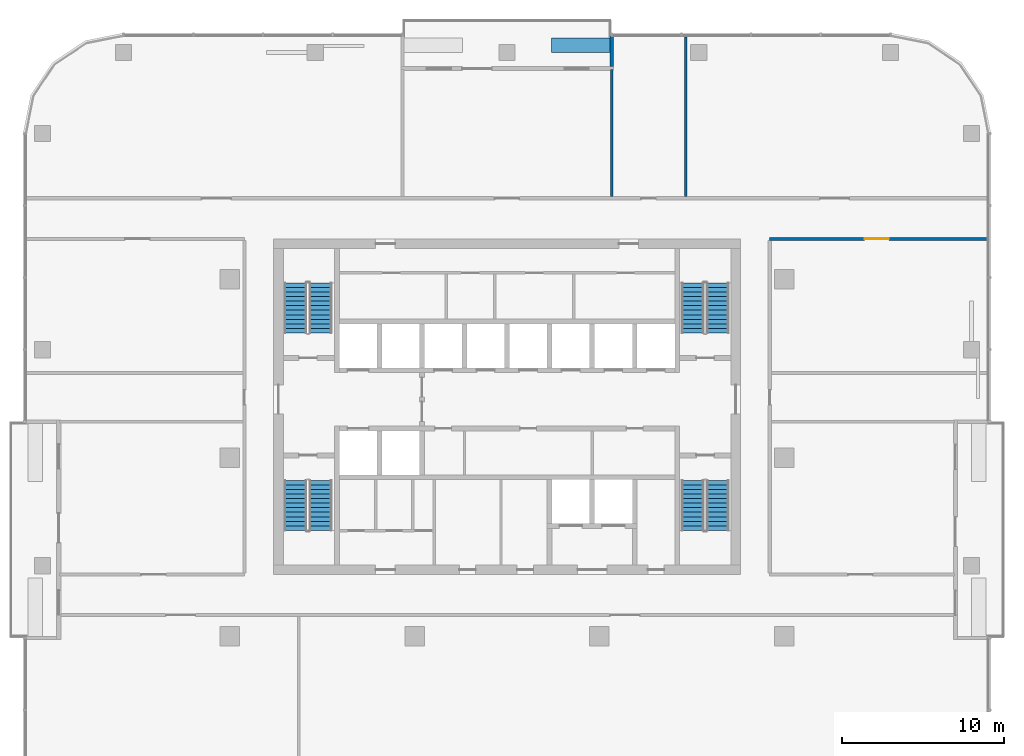
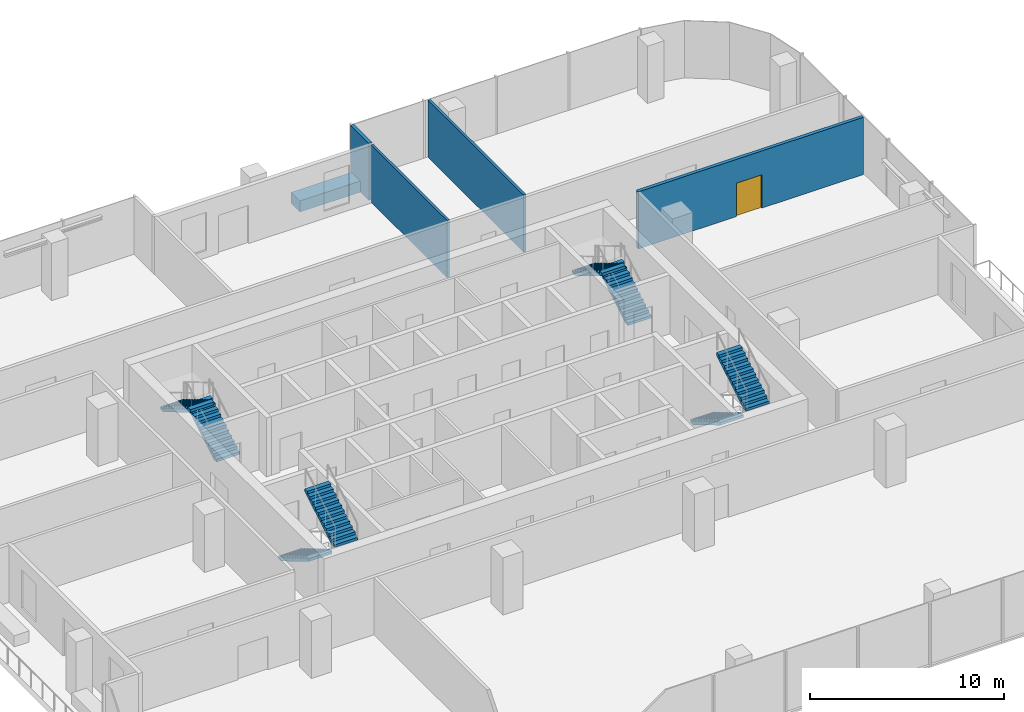
# One storey, part 10 of 13: 8 stair flights, 5 walls, 1 door, 1 opening, 4 elements without a shape of their own.
"""IFC4 building model written with IfcOpenShell, lengths in metres."""

from ifc_helpers import new_model, si_unit, direction, frame, frame_2d, origin, place, context, subcontext, project, spatial, polyline, rectangle, outline, extrude, material, layer, layer_set, type_object, element, fill, aggregate, save


model = new_model("IFC4")

# Units and contexts
model_context = context("Model", 3, precision=1e-05, world=origin(), true_north=direction((0.0, 1.0)))
body_context = subcontext(model_context, "Body", "Model", "MODEL_VIEW")
ifc_project = project(units=[si_unit("LENGTHUNIT", "METRE"), si_unit("AREAUNIT", "SQUARE_METRE"), si_unit("VOLUMEUNIT", "CUBIC_METRE"), si_unit("PLANEANGLEUNIT", "RADIAN"), si_unit("MASSUNIT", "GRAM", prefix="KILO")], contexts=[model_context])

# Site, building, storey
site_placement = place(None, origin())
site = spatial("IfcSite", under=ifc_project, at=site_placement, CompositionType="ELEMENT")
building_placement = place(site_placement, origin())
building = spatial("IfcBuilding", under=site, at=building_placement, Name="Mopane Tessera Tower", CompositionType="ELEMENT")
storey_placement = place(building_placement, frame((0.0, 0.0, 287.39990234375)))
storey = spatial("IfcBuildingStorey", under=building, at=storey_placement, Name="L62", CompositionType="ELEMENT", Elevation=287.39990234375)

# Wall, opening, door
ifc_material_1 = material(Name="Gypsum board on steel studs, two layers each face, mineral wool infill", Category="steel")
ifc_layer_1 = layer(ifc_material_1, 0.199951171875)
ifc_layer_set_1 = layer_set([ifc_layer_1], Name="Gypsum board on steel studs, two layers each face, mineral wool infill")
wall_type_1 = type_object("IfcWallType", Name="Gypsum board corridor wall 200, rated EI 60", PredefinedType="PARTITIONING", material=ifc_layer_set_1)
wall_1_placement = place(storey_placement, frame((16.199951171875, 13.5, 0.0), z_axis=(0.0, 0.0, 1.0), x_axis=(1.0, 0.0, 0.0)))
wall_1 = element("IfcWall", 1, at=wall_1_placement, inside=storey, type_object=wall_type_1, Name="Partition L62:008", PredefinedType="PARTITIONING", context=body_context, shape_type="SweptSolid", body=[
    extrude(rectangle(XDim=13.400146484375, YDim=0.199951171875, at=frame_2d((6.7001953125, 0.0))), origin(), (0.0, 0.0, 1.0), 3.60009765625),
])
opening_placement = place(wall_1_placement, frame((5.85009765625, 0.0, 0.0)))
opening = element("IfcOpeningElement", 2, at=opening_placement, cuts=wall_1, Name="Opening L62-05", PredefinedType="OPENING", context=body_context, shape_type="SweptSolid", body=[
    extrude(rectangle(XDim=1.5, YDim=2.10009765625, at=frame_2d((0.75, 1.050048828125))), frame((0.0, 0.112060546875, 0.0), z_axis=(0.0, -1.0, 0.0), x_axis=(1.0, 0.0, 0.0)), (0.0, 0.0, 1.0), 0.223876953125),
])
ifc_material_2 = material(Name="Timber veneered steel-framed fire door", Category="steel")
door_type = type_object("IfcDoorType", Name="Fire door pair FD60 1500 x 2100", OperationType="DOUBLE_DOOR_SINGLE_SWING", PredefinedType="DOOR", material=ifc_material_2)
door_placement = place(opening_placement, origin())
door = element("IfcDoor", 3, at=door_placement, inside=storey, type_object=door_type, Name="Door L62-05", ObjectType="D17A", OperationType="DOUBLE_DOOR_SINGLE_SWING", OverallHeight=2.10009765625, OverallWidth=1.5, PredefinedType="DOOR", context=body_context, shape_type="SweptSolid", body=[
    extrude(rectangle(XDim=1.5, YDim=2.10009765625, at=frame_2d((0.75, 1.050048828125))), frame((0.0, 0.02490234375, 0.0), z_axis=(0.0, -1.0, 0.0), x_axis=(1.0, 0.0, 0.0)), (0.0, 0.0, 1.0), 0.050048828125),
])
fill(opening, door)

# Walls
ifc_material_3 = material(Name="Gypsum board on steel studs, mineral wool infill", Category="steel")
ifc_layer_2 = layer(ifc_material_3, 0.14990234375)
ifc_layer_set_2 = layer_set([ifc_layer_2], Name="Gypsum board on steel studs, mineral wool infill")
wall_type_2 = type_object("IfcWallType", Name="Gypsum board partition 150, rated EI 60", PredefinedType="PARTITIONING", material=ifc_layer_set_2)
wall_2_placement = place(storey_placement, frame((6.449951171875, 16.10009765625, 0.0), z_axis=(0.0, 0.0, 1.0), x_axis=(0.0, 1.0, 0.0)))
element("IfcWall", 4, at=wall_2_placement, inside=storey, type_object=wall_type_2, Name="Partition L62:013", PredefinedType="PARTITIONING", context=body_context, shape_type="SweptSolid", body=[
    extrude(rectangle(XDim=7.849853515625, YDim=0.14990234375, at=frame_2d((3.9248046875, 0.0))), origin(), (0.0, 0.0, 1.0), 3.60009765625),
])
wall_3_placement = place(storey_placement, frame((11.010009765625, 16.10009765625, 0.0), z_axis=(0.0, 0.0, 1.0), x_axis=(0.0, 1.0, 0.0)))
element("IfcWall", 5, at=wall_3_placement, inside=storey, type_object=wall_type_2, Name="Partition L62:014", PredefinedType="PARTITIONING", context=body_context, shape_type="SweptSolid", body=[
    extrude(rectangle(XDim=9.849853515625, YDim=0.14990234375, at=frame_2d((4.9248046875, 0.0))), origin(), (0.0, 0.0, 1.0), 3.60009765625),
])
ifc_material_4 = material(Name="Reinforced concrete C32/40 with waterproofing", Category="concrete")
ifc_layer_3 = layer(ifc_material_4, 0.89990234375)
ifc_layer_set_3 = layer_set([ifc_layer_3], Name="Reinforced concrete C32/40 with waterproofing")
wall_type_3 = type_object("IfcWallType", Name="Planter trough 3600 x 900", PredefinedType="STANDARD", material=ifc_layer_set_3)
wall_4_placement = place(storey_placement, frame((6.35009765625, 25.449951171875, 0.0), z_axis=(0.0, 0.0, 1.0), x_axis=(-1.0, 0.0, 0.0)))
element("IfcWall", 6, at=wall_4_placement, inside=storey, type_object=wall_type_3, Name="e:nw:L62:N2:pl0", PredefinedType="STANDARD", context=body_context, shape_type="SweptSolid", body=[
    extrude(rectangle(XDim=3.60009765625, YDim=0.89990234375, at=frame_2d((1.800048828125, 0.0))), origin(), (0.0, 0.0, 1.0), 0.7001953125),
])
ifc_material_5 = material(Name="Blockwork with glazed tile facing", Category="masonry")
ifc_layer_4 = layer(ifc_material_5, 0.199951171875)
ifc_layer_set_4 = layer_set([ifc_layer_4], Name="Blockwork with glazed tile facing")
wall_type_4 = type_object("IfcWallType", Name="Terrace cheek wall 200", PredefinedType="STANDARD", material=ifc_layer_set_4)
wall_5_placement = place(storey_placement, frame((6.449951171875, 26.0, 0.0), z_axis=(0.0, 0.0, 1.0), x_axis=(0.0, -1.0, 0.0)))
element("IfcWall", 7, at=wall_5_placement, inside=storey, type_object=wall_type_4, Name="e:nw:L62:N2:cheeka", PredefinedType="STANDARD", context=body_context, shape_type="SweptSolid", body=[
    extrude(rectangle(XDim=1.875, YDim=0.199951171875, at=frame_2d((0.9375, 0.0))), origin(), (0.0, 0.0, 1.0), 3.60009765625),
])

# Stair, stair flights
ifc_material_6 = material(Name="Concrete C50/60", Category="concrete")
stair_type = type_object("IfcStairType", Name="Escape stair 1400 mm, riser 167 mm", PredefinedType="HALF_TURN_STAIR", material=ifc_material_6)
stair_1_placement = place(storey_placement, origin())
stair_1 = element("IfcStair", 8, at=stair_1_placement, inside=storey, type_object=stair_type, Name="L62 Escape stair south-west", PredefinedType="HALF_TURN_STAIR")
ifc_material_7 = material(Name="Concrete C50/60", Category="concrete")
stair_flight_type = type_object("IfcStairFlightType", Name="Escape stair flight 1400 mm", PredefinedType="STRAIGHT", material=ifc_material_7)
stair_flight_1_placement = place(storey_placement, frame((-13.050048828125, -1.39990234375, 0.0), z_axis=(0.0, 0.0, 1.0), x_axis=(0.0, -1.0, 0.0)))
stair_flight_1 = element("IfcStairFlight", 9, at=stair_flight_1_placement, type_object=stair_flight_type, Name="ST1 flight 1", NumberOfRisers=12, NumberOfTreads=11, PredefinedType="STRAIGHT", RiserHeight=0.166666667, TreadLength=0.28, context=body_context, shape_type="SweptSolid", body=[
    extrude(outline(polyline([(0.0, 0.0), (0.0, 0.166748046875), (0.280029296875, 0.166748046875), (0.280029296875, 0.333251953125), (0.56005859375, 0.333251953125), (0.56005859375, 0.5), (0.840087890625, 0.5), (0.840087890625, 0.666748046875), (1.1201171875, 0.666748046875), (1.1201171875, 0.833251953125), (1.39990234375, 0.833251953125), (1.39990234375, 1.0), (1.679931640625, 1.0), (1.679931640625, 1.166748046875), (1.9599609375, 1.166748046875), (1.9599609375, 1.333251953125), (2.239990234375, 1.333251953125), (2.239990234375, 1.5), (2.52001953125, 1.5), (2.52001953125, 1.666748046875), (2.800048828125, 1.666748046875), (2.800048828125, 1.833251953125), (3.080078125, 1.833251953125), (3.080078125, 2.0), (3.080078125, 1.658935546875), (0.29296875, 0.0), (0.0, 0.0)])), frame((0.0, 0.699951171875, 0.0), z_axis=(0.0, -1.0, 0.0), x_axis=(1.0, 0.0, 0.0)), (0.0, 0.0, 1.0), 1.39990234375),
])
stair_flight_2_placement = place(storey_placement, frame((-11.5, -4.47998046875, 2.0), z_axis=(0.0, 0.0, 1.0), x_axis=(0.0, 1.0, 0.0)))
stair_flight_2 = element("IfcStairFlight", 10, at=stair_flight_2_placement, type_object=stair_flight_type, Name="ST1 flight 2", NumberOfRisers=12, NumberOfTreads=11, PredefinedType="STRAIGHT", RiserHeight=0.166666667, TreadLength=0.28, context=body_context, shape_type="SweptSolid", body=[
    extrude(outline(polyline([(0.0, 0.0), (0.0, 0.166748046875), (0.280029296875, 0.166748046875), (0.280029296875, 0.333251953125), (0.56005859375, 0.333251953125), (0.56005859375, 0.5), (0.840087890625, 0.5), (0.840087890625, 0.666748046875), (1.1201171875, 0.666748046875), (1.1201171875, 0.833251953125), (1.39990234375, 0.833251953125), (1.39990234375, 1.0), (1.679931640625, 1.0), (1.679931640625, 1.166748046875), (1.9599609375, 1.166748046875), (1.9599609375, 1.333251953125), (2.239990234375, 1.333251953125), (2.239990234375, 1.5), (2.52001953125, 1.5), (2.52001953125, 1.666748046875), (2.800048828125, 1.666748046875), (2.800048828125, 1.833251953125), (3.080078125, 1.833251953125), (3.080078125, 2.0), (3.080078125, 1.658935546875), (0.29296875, 0.0), (0.0, 0.0)])), frame((0.0, 0.699951171875, 0.0), z_axis=(0.0, -1.0, 0.0), x_axis=(1.0, 0.0, 0.0)), (0.0, 0.0, 1.0), 1.39990234375),
])
aggregate(stair_1, [stair_flight_1, stair_flight_2])

stair_2_placement = place(storey_placement, origin())
stair_2 = element("IfcStair", 11, at=stair_2_placement, inside=storey, type_object=stair_type, Name="L62 Escape stair north-west", PredefinedType="HALF_TURN_STAIR")
stair_flight_3_placement = place(storey_placement, frame((-11.5, 7.699951171875, 0.0), z_axis=(0.0, 0.0, 1.0), x_axis=(0.0, 1.0, 0.0)))
stair_flight_3 = element("IfcStairFlight", 12, at=stair_flight_3_placement, type_object=stair_flight_type, Name="ST2 flight 1", NumberOfRisers=12, NumberOfTreads=11, PredefinedType="STRAIGHT", RiserHeight=0.166666667, TreadLength=0.28, context=body_context, shape_type="SweptSolid", body=[
    extrude(outline(polyline([(0.0, 0.0), (0.0, 0.166748046875), (0.280029296875, 0.166748046875), (0.280029296875, 0.333251953125), (0.56005859375, 0.333251953125), (0.56005859375, 0.5), (0.840087890625, 0.5), (0.840087890625, 0.666748046875), (1.1201171875, 0.666748046875), (1.1201171875, 0.833251953125), (1.39990234375, 0.833251953125), (1.39990234375, 1.0), (1.679931640625, 1.0), (1.679931640625, 1.166748046875), (1.9599609375, 1.166748046875), (1.9599609375, 1.333251953125), (2.239990234375, 1.333251953125), (2.239990234375, 1.5), (2.52001953125, 1.5), (2.52001953125, 1.666748046875), (2.800048828125, 1.666748046875), (2.800048828125, 1.833251953125), (3.080078125, 1.833251953125), (3.080078125, 2.0), (3.080078125, 1.658935546875), (0.29296875, 0.0), (0.0, 0.0)])), frame((0.0, 0.699951171875, 0.0), z_axis=(0.0, -1.0, 0.0), x_axis=(1.0, 0.0, 0.0)), (0.0, 0.0, 1.0), 1.39990234375),
])
stair_flight_4_placement = place(storey_placement, frame((-13.050048828125, 10.780029296875, 2.0), z_axis=(0.0, 0.0, 1.0), x_axis=(0.0, -1.0, 0.0)))
stair_flight_4 = element("IfcStairFlight", 13, at=stair_flight_4_placement, type_object=stair_flight_type, Name="ST2 flight 2", NumberOfRisers=12, NumberOfTreads=11, PredefinedType="STRAIGHT", RiserHeight=0.166666667, TreadLength=0.28, context=body_context, shape_type="SweptSolid", body=[
    extrude(outline(polyline([(0.0, 0.0), (0.0, 0.166748046875), (0.280029296875, 0.166748046875), (0.280029296875, 0.333251953125), (0.56005859375, 0.333251953125), (0.56005859375, 0.5), (0.840087890625, 0.5), (0.840087890625, 0.666748046875), (1.1201171875, 0.666748046875), (1.1201171875, 0.833251953125), (1.39990234375, 0.833251953125), (1.39990234375, 1.0), (1.679931640625, 1.0), (1.679931640625, 1.166748046875), (1.9599609375, 1.166748046875), (1.9599609375, 1.333251953125), (2.239990234375, 1.333251953125), (2.239990234375, 1.5), (2.52001953125, 1.5), (2.52001953125, 1.666748046875), (2.800048828125, 1.666748046875), (2.800048828125, 1.833251953125), (3.080078125, 1.833251953125), (3.080078125, 2.0), (3.080078125, 1.658935546875), (0.29296875, 0.0), (0.0, 0.0)])), frame((0.0, 0.699951171875, 0.0), z_axis=(0.0, -1.0, 0.0), x_axis=(1.0, 0.0, 0.0)), (0.0, 0.0, 1.0), 1.39990234375),
])
aggregate(stair_2, [stair_flight_3, stair_flight_4])

stair_3_placement = place(storey_placement, origin())
stair_3 = element("IfcStair", 14, at=stair_3_placement, inside=storey, type_object=stair_type, Name="L62 Escape stair south-east", PredefinedType="HALF_TURN_STAIR")
stair_flight_5_placement = place(storey_placement, frame((11.449951171875, -1.39990234375, 0.0), z_axis=(0.0, 0.0, 1.0), x_axis=(0.0, -1.0, 0.0)))
stair_flight_5 = element("IfcStairFlight", 15, at=stair_flight_5_placement, type_object=stair_flight_type, Name="ST3 flight 1", NumberOfRisers=12, NumberOfTreads=11, PredefinedType="STRAIGHT", RiserHeight=0.166666667, TreadLength=0.28, context=body_context, shape_type="SweptSolid", body=[
    extrude(outline(polyline([(0.0, 0.0), (0.0, 0.166748046875), (0.280029296875, 0.166748046875), (0.280029296875, 0.333251953125), (0.56005859375, 0.333251953125), (0.56005859375, 0.5), (0.840087890625, 0.5), (0.840087890625, 0.666748046875), (1.1201171875, 0.666748046875), (1.1201171875, 0.833251953125), (1.39990234375, 0.833251953125), (1.39990234375, 1.0), (1.679931640625, 1.0), (1.679931640625, 1.166748046875), (1.9599609375, 1.166748046875), (1.9599609375, 1.333251953125), (2.239990234375, 1.333251953125), (2.239990234375, 1.5), (2.52001953125, 1.5), (2.52001953125, 1.666748046875), (2.800048828125, 1.666748046875), (2.800048828125, 1.833251953125), (3.080078125, 1.833251953125), (3.080078125, 2.0), (3.080078125, 1.658935546875), (0.29296875, 0.0), (0.0, 0.0)])), frame((0.0, 0.699951171875, 0.0), z_axis=(0.0, -1.0, 0.0), x_axis=(1.0, 0.0, 0.0)), (0.0, 0.0, 1.0), 1.39990234375),
])
stair_flight_6_placement = place(storey_placement, frame((13.0, -4.47998046875, 2.0), z_axis=(0.0, 0.0, 1.0), x_axis=(0.0, 1.0, 0.0)))
stair_flight_6 = element("IfcStairFlight", 16, at=stair_flight_6_placement, type_object=stair_flight_type, Name="ST3 flight 2", NumberOfRisers=12, NumberOfTreads=11, PredefinedType="STRAIGHT", RiserHeight=0.166666667, TreadLength=0.28, context=body_context, shape_type="SweptSolid", body=[
    extrude(outline(polyline([(0.0, 0.0), (0.0, 0.166748046875), (0.280029296875, 0.166748046875), (0.280029296875, 0.333251953125), (0.56005859375, 0.333251953125), (0.56005859375, 0.5), (0.840087890625, 0.5), (0.840087890625, 0.666748046875), (1.1201171875, 0.666748046875), (1.1201171875, 0.833251953125), (1.39990234375, 0.833251953125), (1.39990234375, 1.0), (1.679931640625, 1.0), (1.679931640625, 1.166748046875), (1.9599609375, 1.166748046875), (1.9599609375, 1.333251953125), (2.239990234375, 1.333251953125), (2.239990234375, 1.5), (2.52001953125, 1.5), (2.52001953125, 1.666748046875), (2.800048828125, 1.666748046875), (2.800048828125, 1.833251953125), (3.080078125, 1.833251953125), (3.080078125, 2.0), (3.080078125, 1.658935546875), (0.29296875, 0.0), (0.0, 0.0)])), frame((0.0, 0.699951171875, 0.0), z_axis=(0.0, -1.0, 0.0), x_axis=(1.0, 0.0, 0.0)), (0.0, 0.0, 1.0), 1.39990234375),
])
aggregate(stair_3, [stair_flight_5, stair_flight_6])

stair_4_placement = place(storey_placement, origin())
stair_4 = element("IfcStair", 17, at=stair_4_placement, inside=storey, type_object=stair_type, Name="L62 Escape stair north-east", PredefinedType="HALF_TURN_STAIR")
stair_flight_7_placement = place(storey_placement, frame((13.0, 7.699951171875, 0.0), z_axis=(0.0, 0.0, 1.0), x_axis=(0.0, 1.0, 0.0)))
stair_flight_7 = element("IfcStairFlight", 18, at=stair_flight_7_placement, type_object=stair_flight_type, Name="ST4 flight 1", NumberOfRisers=12, NumberOfTreads=11, PredefinedType="STRAIGHT", RiserHeight=0.166666667, TreadLength=0.28, context=body_context, shape_type="SweptSolid", body=[
    extrude(outline(polyline([(0.0, 0.0), (0.0, 0.166748046875), (0.280029296875, 0.166748046875), (0.280029296875, 0.333251953125), (0.56005859375, 0.333251953125), (0.56005859375, 0.5), (0.840087890625, 0.5), (0.840087890625, 0.666748046875), (1.1201171875, 0.666748046875), (1.1201171875, 0.833251953125), (1.39990234375, 0.833251953125), (1.39990234375, 1.0), (1.679931640625, 1.0), (1.679931640625, 1.166748046875), (1.9599609375, 1.166748046875), (1.9599609375, 1.333251953125), (2.239990234375, 1.333251953125), (2.239990234375, 1.5), (2.52001953125, 1.5), (2.52001953125, 1.666748046875), (2.800048828125, 1.666748046875), (2.800048828125, 1.833251953125), (3.080078125, 1.833251953125), (3.080078125, 2.0), (3.080078125, 1.658935546875), (0.29296875, 0.0), (0.0, 0.0)])), frame((0.0, 0.699951171875, 0.0), z_axis=(0.0, -1.0, 0.0), x_axis=(1.0, 0.0, 0.0)), (0.0, 0.0, 1.0), 1.39990234375),
])
stair_flight_8_placement = place(storey_placement, frame((11.449951171875, 10.780029296875, 2.0), z_axis=(0.0, 0.0, 1.0), x_axis=(0.0, -1.0, 0.0)))
stair_flight_8 = element("IfcStairFlight", 19, at=stair_flight_8_placement, type_object=stair_flight_type, Name="ST4 flight 2", NumberOfRisers=12, NumberOfTreads=11, PredefinedType="STRAIGHT", RiserHeight=0.166666667, TreadLength=0.28, context=body_context, shape_type="SweptSolid", body=[
    extrude(outline(polyline([(0.0, 0.0), (0.0, 0.166748046875), (0.280029296875, 0.166748046875), (0.280029296875, 0.333251953125), (0.56005859375, 0.333251953125), (0.56005859375, 0.5), (0.840087890625, 0.5), (0.840087890625, 0.666748046875), (1.1201171875, 0.666748046875), (1.1201171875, 0.833251953125), (1.39990234375, 0.833251953125), (1.39990234375, 1.0), (1.679931640625, 1.0), (1.679931640625, 1.166748046875), (1.9599609375, 1.166748046875), (1.9599609375, 1.333251953125), (2.239990234375, 1.333251953125), (2.239990234375, 1.5), (2.52001953125, 1.5), (2.52001953125, 1.666748046875), (2.800048828125, 1.666748046875), (2.800048828125, 1.833251953125), (3.080078125, 1.833251953125), (3.080078125, 2.0), (3.080078125, 1.658935546875), (0.29296875, 0.0), (0.0, 0.0)])), frame((0.0, 0.699951171875, 0.0), z_axis=(0.0, -1.0, 0.0), x_axis=(1.0, 0.0, 0.0)), (0.0, 0.0, 1.0), 1.39990234375),
])
aggregate(stair_4, [stair_flight_7, stair_flight_8])

save(model, "model.ifc")
